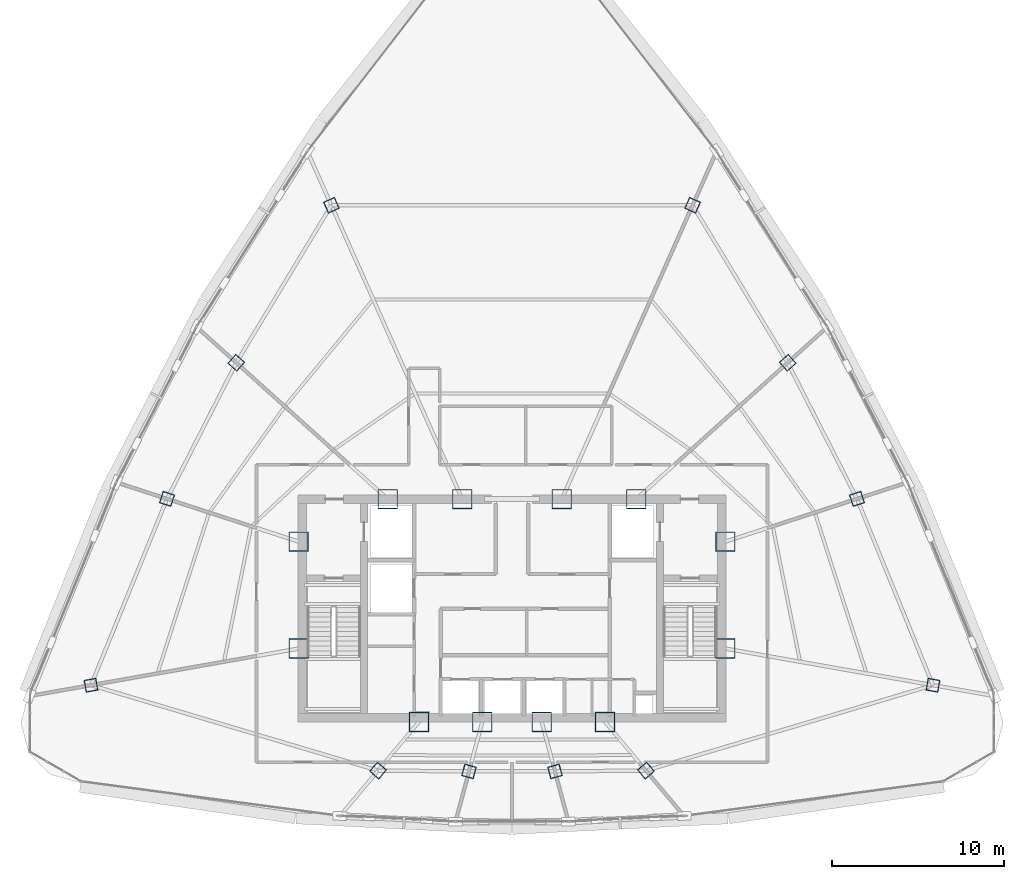
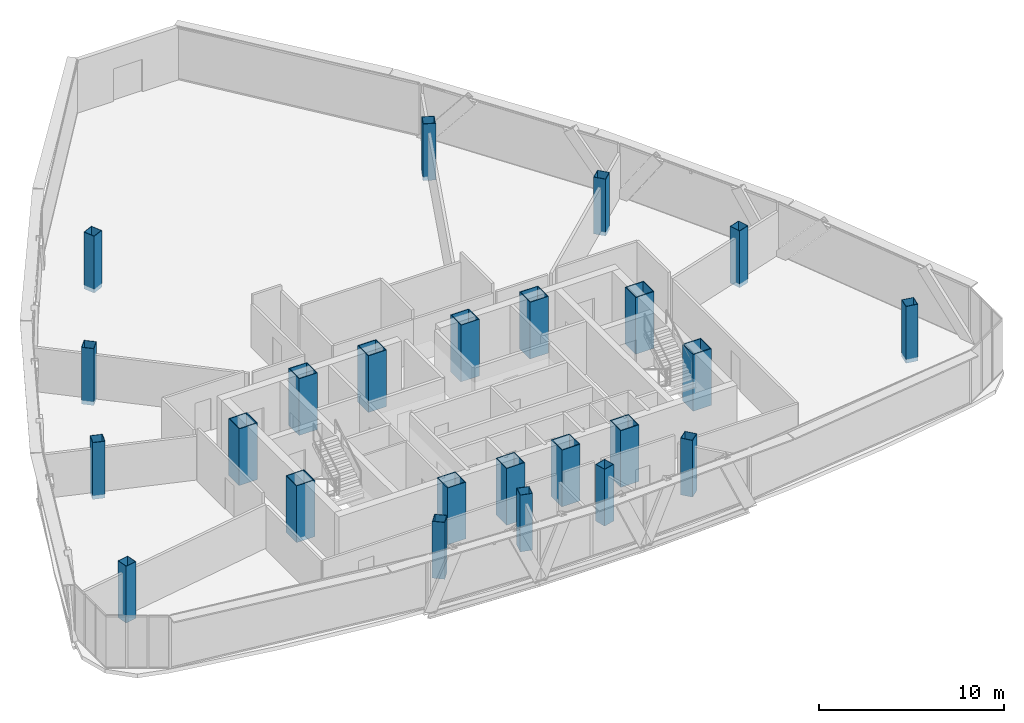
# One storey, part 1 of 28: 24 columns.
"""IFC4 building model written with IfcOpenShell, lengths in metres."""

from ifc_helpers import new_model, si_unit, direction, frame, origin, origin_2d, place, context, subcontext, project, spatial, hollow_rectangle, extrude, source, transform, mapped, material, material_profile, profile_set, type_object, element, save


model = new_model("IFC4")

# Units and contexts
model_context = context("Model", 3, precision=1e-05, world=origin(), true_north=direction((0.0, 1.0)))
body_context = subcontext(model_context, "Body", "Model", "MODEL_VIEW")
ifc_project = project(units=[si_unit("LENGTHUNIT", "METRE"), si_unit("AREAUNIT", "SQUARE_METRE"), si_unit("VOLUMEUNIT", "CUBIC_METRE"), si_unit("PLANEANGLEUNIT", "RADIAN"), si_unit("MASSUNIT", "GRAM", prefix="KILO"), si_unit("THERMODYNAMICTEMPERATUREUNIT", "KELVIN"), si_unit("POWERUNIT", "WATT")], contexts=[model_context])

# Site, building, storey
site_placement = place(None, origin())
site = spatial("IfcSite", under=ifc_project, at=site_placement, CompositionType="ELEMENT")
building_placement = place(site_placement, origin())
building = spatial("IfcBuilding", under=site, at=building_placement, Name="Yunzhuo Pagoda Commons", CompositionType="ELEMENT")
storey_placement = place(building_placement, frame((0.0, 0.0, 336.760009765625)))
storey = spatial("IfcBuildingStorey", under=building, at=storey_placement, Name="L84", CompositionType="ELEMENT", Elevation=336.760009765625)

# Columns
ifc_material_1 = material(Name="Structural steel Q420B", Category="steel")
ifc_material_profile_1 = material_profile(ifc_material_1, hollow_rectangle(XDim=1.14990234375, YDim=1.14990234375, WallThickness=0.048095703125, at=origin_2d()), Name="Structural steel Q420B")
ifc_profile_set_1 = profile_set([ifc_material_profile_1], Name="Structural steel Q420B")
column_type_1 = type_object("IfcColumnType", Name="C-COR Column BOX 1150x1150x48", PredefinedType="COLUMN", material=ifc_profile_set_1)
shared_shape_1 = source(origin(), body_context, "Body", "SweptSolid", [
    extrude(hollow_rectangle(XDim=1.14990234375, YDim=1.14990234375, WallThickness=0.048095703125, at=origin_2d()), origin(), (0.0, 0.0, 1.0), 3.75),
])
for number, where, z_axis, x_axis, name in (
    (1, (42.587890625, 27.25, -0.260009765625), (0.0, 0.0, 1.0), (1.0, 0.0, 0.0), "L84 core composite column F1C1"),
    (2, (46.27197265625, 27.25, -0.260009765625), (0.0, 0.0, 1.0), (1.0, 0.0, 0.0), "L84 core composite column F1C2"),
    (3, (49.728515625, 27.25, -0.260009765625), (0.0, 0.0, 1.0), (1.0, 0.0, 0.0), "L84 core composite column F1C3"),
    (4, (53.412109375, 27.25, -0.260009765625), (0.0, 0.0, 1.0), (1.0, 0.0, 0.0), "L84 core composite column F1C4"),
    (5, (60.39990234375, 31.513427734375, -0.260009765625), (0.0, 0.0, 1.0), (1.0, 0.0, 0.0), "L84 core composite column F2C1"),
    (6, (60.39990234375, 37.72900390625, -0.260009765625), (0.0, 0.0, 1.0), (1.0, 0.0, 0.0), "L84 core composite column F2C2"),
    (7, (55.218994140625, 40.199951171875, -0.260009765625), (0.0, 0.0, 1.0), (1.0, 0.0, 0.0), "L84 core composite column F2C3"),
    (8, (50.89404296875, 40.199951171875, -0.260009765625), (0.0, 0.0, 1.0), (1.0, 0.0, 0.0), "L84 core composite column F2C4"),
    (9, (45.10595703125, 40.199951171875, -0.260009765625), (0.0, 0.0, 1.0), (1.0, 0.0, 0.0), "L84 core composite column F3C1"),
    (10, (40.781005859375, 40.199951171875, -0.260009765625), (0.0, 0.0, 1.0), (1.0, 0.0, 0.0), "L84 core composite column F3C2"),
    (11, (35.60009765625, 37.72900390625, -0.260009765625), (0.0, 0.0, 1.0), (1.0, 0.0, 0.0), "L84 core composite column F3C3"),
    (12, (35.60009765625, 31.513427734375, -0.260009765625), (0.0, 0.0, 1.0), (1.0, 0.0, 0.0), "L84 core composite column F3C4"),
):
    element("IfcColumn", number, at=place(storey_placement, frame(where, z_axis=z_axis, x_axis=x_axis)), inside=storey, type_object=column_type_1, Name=name, PredefinedType="COLUMN", context=body_context, shape_type="MappedRepresentation", body=[
        mapped(shared_shape_1, transform((0.0, 0.0, 0.0), scale=1.0)),
    ])
ifc_material_2 = material(Name="Structural steel Q355B", Category="steel")
ifc_material_profile_2 = material_profile(ifc_material_2, hollow_rectangle(XDim=0.699951171875, YDim=0.699951171875, WallThickness=0.02587890625, at=origin_2d()), Name="Structural steel Q355B")
ifc_profile_set_2 = profile_set([ifc_material_profile_2], Name="Structural steel Q355B")
column_type_2 = type_object("IfcColumnType", Name="C-Z7 Column BOX 700x700x26", PredefinedType="COLUMN", material=ifc_profile_set_2)
shared_shape_2 = source(origin(), body_context, "Body", "SweptSolid", [
    extrude(hollow_rectangle(XDim=0.699951171875, YDim=0.699951171875, WallThickness=0.02587890625, at=origin_2d()), origin(), (0.0, 0.0, 1.0), 3.75),
])
for number, where, z_axis, x_axis, name in (
    (13, (40.214599609375, 24.421630859375, -0.260009765625), (0.0, 0.0, 1.0), (0.766044443119, -0.642787609687, 0.0), "L84 tower column F1C1"),
    (14, (45.500732421875, 24.372802734375, -0.260009765625), (0.0, 0.0, 1.0), (0.965925826289, -0.258819045103, 0.0), "L84 tower column F1C2"),
    (15, (50.499267578125, 24.372802734375, -0.260009765625), (0.0, 0.0, 1.0), (0.965925826289, 0.258819045103, 0.0), "L84 tower column F1C3"),
    (16, (55.785400390625, 24.421630859375, -0.260009765625), (0.0, 0.0, 1.0), (0.766044443119, 0.642787609687, 0.0), "L84 tower column F1C4"),
    (17, (72.47021484375, 29.38525390625, -0.260009765625), (0.0, 0.0, 1.0), (0.173648177667, 0.984807753012, 0.0), "L84 tower column F2C1"),
    (18, (68.053466796875, 40.2158203125, -0.260009765625), (0.0, 0.0, 1.0), (-0.309016994375, 0.951056516295, 0.0), "L84 tower column F2C2"),
    (19, (64.024658203125, 48.128662109375, -0.260009765625), (0.0, 0.0, 1.0), (-0.669130606359, 0.743144825477, 0.0), "L84 tower column F2C3"),
    (20, (58.498779296875, 57.281005859375, -0.260009765625), (0.0, 0.0, 1.0), (-0.913545457643, 0.406736643076, 0.0), "L84 tower column F2C4"),
    (21, (37.501220703125, 57.281005859375, -0.260009765625), (0.0, 0.0, 1.0), (-0.913545457643, -0.406736643076, 0.0), "L84 tower column F3C1"),
    (22, (31.975341796875, 48.128662109375, -0.260009765625), (0.0, 0.0, 1.0), (-0.669130606359, -0.743144825477, 0.0), "L84 tower column F3C2"),
    (23, (27.946533203125, 40.2158203125, -0.260009765625), (0.0, 0.0, 1.0), (-0.309016994375, -0.951056516295, 0.0), "L84 tower column F3C3"),
    (24, (23.52978515625, 29.38525390625, -0.260009765625), (0.0, 0.0, 1.0), (0.173648177667, -0.984807753012, 0.0), "L84 tower column F3C4"),
):
    element("IfcColumn", number, at=place(storey_placement, frame(where, z_axis=z_axis, x_axis=x_axis)), inside=storey, type_object=column_type_2, Name=name, PredefinedType="COLUMN", context=body_context, shape_type="MappedRepresentation", body=[
        mapped(shared_shape_2, transform((0.0, 0.0, 0.0), scale=1.0)),
    ])

save(model, "model.ifc")
